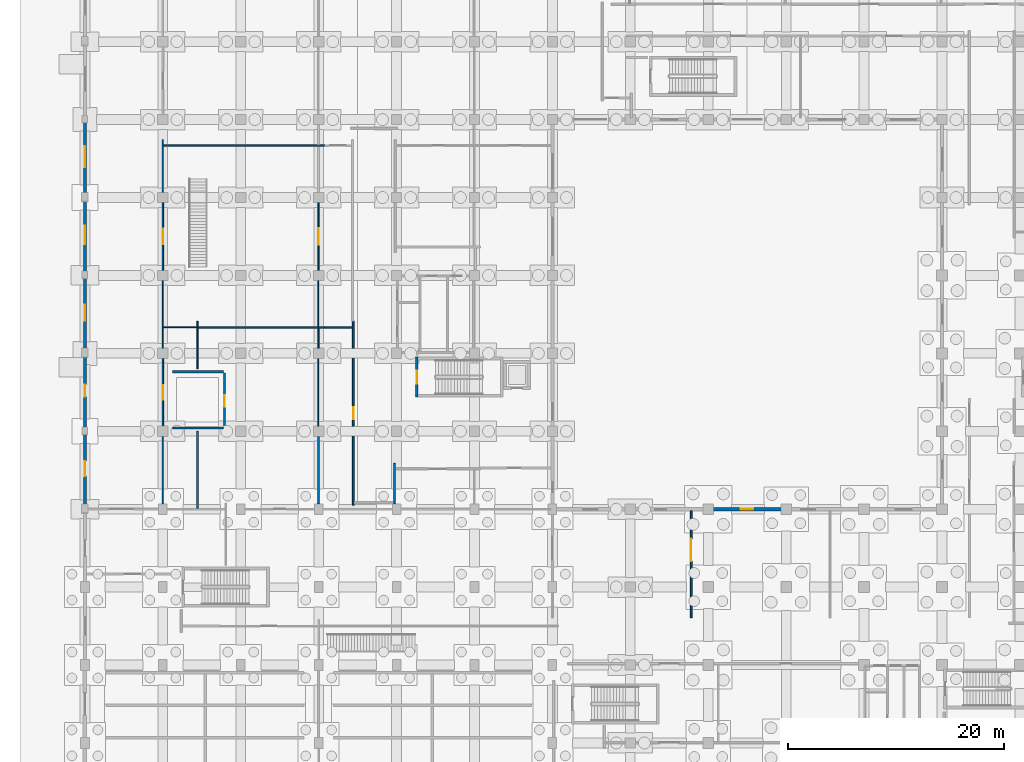
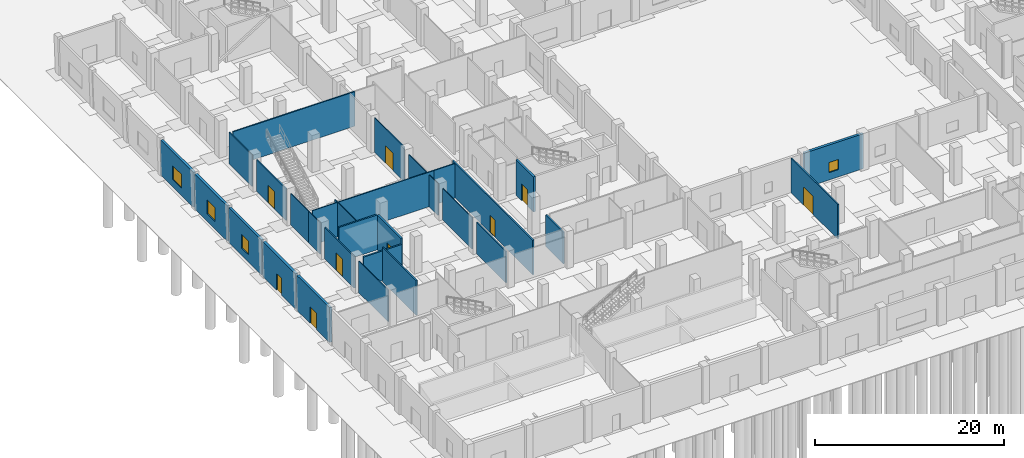
# One storey, part 20 of 48: 30 walls, 9 doors, 4 windows, 13 openings.
"""IFC4 building model written with IfcOpenShell, lengths in metres."""

from ifc_helpers import new_model, si_unit, direction, frame, frame_2d, origin, place, context, subcontext, project, spatial, rectangle, extrude, material, layer, layer_set, type_object, element, fill, save


model = new_model("IFC4")

# Units and contexts
model_context = context("Model", 3, precision=1e-05, world=origin(), true_north=direction((0.0, 1.0)))
body_context = subcontext(model_context, "Body", "Model", "MODEL_VIEW")
ifc_project = project(units=[si_unit("LENGTHUNIT", "METRE"), si_unit("AREAUNIT", "SQUARE_METRE"), si_unit("VOLUMEUNIT", "CUBIC_METRE"), si_unit("PLANEANGLEUNIT", "RADIAN"), si_unit("MASSUNIT", "GRAM", prefix="KILO")], contexts=[model_context])

# Site, building, storey
site_placement = place(None, origin())
site = spatial("IfcSite", under=ifc_project, at=site_placement, CompositionType="ELEMENT")
building_placement = place(site_placement, origin())
building = spatial("IfcBuilding", under=site, at=building_placement, Name="Seraya Terrace Polytechnic", CompositionType="ELEMENT")
storey_placement = place(building_placement, origin())
storey = spatial("IfcBuildingStorey", under=building, at=storey_placement, Name="L00", CompositionType="ELEMENT", Elevation=0.0)

# Wall, opening, door
ifc_material_1 = material(Name="Concrete C40/50", Category="concrete")
ifc_layer_1 = layer(ifc_material_1, 0.300048828125, Name="EW-01")
ifc_layer_set_1 = layer_set([ifc_layer_1], Name="Concrete C40/50")
wall_type_1 = type_object("IfcWallType", Name="EW-01", PredefinedType="SOLIDWALL", material=ifc_layer_set_1)
wall_1_placement = place(storey_placement, frame((0.0, 29.10009765625, 0.0), z_axis=(0.0, 0.0, 1.0), x_axis=(0.0, 1.0, 0.0)))
wall_1 = element("IfcWall", 1, at=wall_1_placement, inside=storey, type_object=wall_type_1, Name="Exterior structural wall EW-01 L00", PredefinedType="SOLIDWALL", context=body_context, shape_type="SweptSolid", body=[
    extrude(rectangle(XDim=6.89990234375, YDim=0.300048828125, at=frame_2d((3.449951171875, 0.0))), origin(), (0.0, 0.0, 1.0), 4.52001953125),
])
opening_1_placement = place(wall_1_placement, frame((2.75, 0.0, 0.0)))
opening_1 = element("IfcOpeningElement", 2, at=opening_1_placement, cuts=wall_1, Name="Opening ED-05", PredefinedType="OPENING", context=body_context, shape_type="SweptSolid", body=[
    extrude(rectangle(XDim=1.39990234375, YDim=2.14990234375, at=frame_2d((0.699951171875, 1.074951171875))), frame((0.0, 0.162109375, 0.0), z_axis=(0.0, -1.0, 0.0), x_axis=(1.0, 0.0, 0.0)), (0.0, 0.0, 1.0), 0.323974609375),
])
ifc_material_2 = material(Name="Anodised aluminium EN AW-6063 T6", Category="aluminium")
door_type_1 = type_object("IfcDoorType", Name="ED-05", OperationType="DOUBLE_DOOR_SINGLE_SWING", PredefinedType="DOOR", material=ifc_material_2)
door_1_placement = place(opening_1_placement, origin())
door_1 = element("IfcDoor", 3, at=door_1_placement, inside=storey, type_object=door_type_1, Name="Door ED-05 DR-EXIT-L00-037 in WL-EXT-L00-09-05", OperationType="DOUBLE_DOOR_SINGLE_SWING", OverallHeight=2.14990234375, OverallWidth=1.39990234375, PredefinedType="DOOR", context=body_context, shape_type="SweptSolid", body=[
    extrude(rectangle(XDim=1.39990234375, YDim=2.14990234375, at=frame_2d((0.699951171875, 1.074951171875))), frame((0.0, 0.02490234375, 0.0), z_axis=(0.0, -1.0, 0.0), x_axis=(1.0, 0.0, 0.0)), (0.0, 0.0, 1.0), 0.050048828125),
])
fill(opening_1, door_1)

wall_2_placement = place(storey_placement, frame((0.0, 36.300048828125, 0.0), z_axis=(0.0, 0.0, 1.0), x_axis=(0.0, 1.0, 0.0)))
wall_2 = element("IfcWall", 4, at=wall_2_placement, inside=storey, type_object=wall_type_1, Name="Exterior structural wall EW-01 L00", PredefinedType="SOLIDWALL", context=body_context, shape_type="SweptSolid", body=[
    extrude(rectangle(XDim=6.89990234375, YDim=0.300048828125, at=frame_2d((3.449951171875, 0.0))), origin(), (0.0, 0.0, 1.0), 4.52001953125),
])
opening_2_placement = place(wall_2_placement, frame((2.889892578125, 0.0, 0.0)))
opening_2 = element("IfcOpeningElement", 5, at=opening_2_placement, cuts=wall_2, Name="Opening ED-06", PredefinedType="OPENING", context=body_context, shape_type="SweptSolid", body=[
    extrude(rectangle(XDim=1.1201171875, YDim=2.14990234375, at=frame_2d((0.56005859375, 1.074951171875))), frame((0.0, 0.162109375, 0.0), z_axis=(0.0, -1.0, 0.0), x_axis=(1.0, 0.0, 0.0)), (0.0, 0.0, 1.0), 0.323974609375),
])
door_type_2 = type_object("IfcDoorType", Name="ED-06", OperationType="NOTDEFINED", PredefinedType="DOOR", material=ifc_material_2)
door_2_placement = place(opening_2_placement, origin())
door_2 = element("IfcDoor", 6, at=door_2_placement, inside=storey, type_object=door_type_2, Name="Door ED-06 DR-EXIT-L00-038 in WL-EXT-L00-09-07", OperationType="SINGLE_SWING_LEFT", OverallHeight=2.14990234375, OverallWidth=1.1201171875, PredefinedType="DOOR", context=body_context, shape_type="SweptSolid", body=[
    extrude(rectangle(XDim=1.1201171875, YDim=2.14990234375, at=frame_2d((0.56005859375, 1.074951171875))), frame((0.0, 0.02490234375, 0.0), z_axis=(0.0, -1.0, 0.0), x_axis=(1.0, 0.0, 0.0)), (0.0, 0.0, 1.0), 0.050048828125),
])
fill(opening_2, door_2)

# Wall, opening, window
wall_3_placement = place(storey_placement, frame((0.0, 43.5, 0.0), z_axis=(0.0, 0.0, 1.0), x_axis=(0.0, 1.0, 0.0)))
wall_3 = element("IfcWall", 7, at=wall_3_placement, inside=storey, type_object=wall_type_1, Name="Exterior structural wall EW-01 L00", PredefinedType="SOLIDWALL", context=body_context, shape_type="SweptSolid", body=[
    extrude(rectangle(XDim=6.89990234375, YDim=0.300048828125, at=frame_2d((3.449951171875, 0.0))), origin(), (0.0, 0.0, 1.0), 4.52001953125),
])
opening_3_placement = place(wall_3_placement, frame((2.72509765625, 0.0, 0.949951171875)))
opening_3 = element("IfcOpeningElement", 8, at=opening_3_placement, cuts=wall_3, Name="Opening WN-28", PredefinedType="OPENING", context=body_context, shape_type="SweptSolid", body=[
    extrude(rectangle(XDim=1.449951171875, YDim=1.800048828125, at=frame_2d((0.72509765625, 0.89990234375))), frame((0.0, 0.162109375, 0.0), z_axis=(0.0, -1.0, 0.0), x_axis=(1.0, 0.0, 0.0)), (0.0, 0.0, 1.0), 0.323974609375),
])
ifc_material_3 = material(Name="Laminated solar-control Low-E double glazing", Category="glass")
window_type_1 = type_object("IfcWindowType", Name="WN-28", PartitioningType="SINGLE_PANEL", PredefinedType="WINDOW", material=ifc_material_3)
window_1_placement = place(opening_3_placement, origin())
window_1 = element("IfcWindow", 9, at=window_1_placement, inside=storey, type_object=window_type_1, Name="Exterior window WN-28 L00", OverallHeight=1.800048828125, OverallWidth=1.449951171875, PartitioningType="SINGLE_PANEL", PredefinedType="WINDOW", context=body_context, shape_type="SweptSolid", body=[
    extrude(rectangle(XDim=1.449951171875, YDim=1.800048828125, at=frame_2d((0.72509765625, 0.89990234375))), frame((0.0, 0.030029296875, 0.0), z_axis=(0.0, -1.0, 0.0), x_axis=(1.0, 0.0, 0.0)), (0.0, 0.0, 1.0), 0.06005859375),
])
fill(opening_3, window_1)

wall_4_placement = place(storey_placement, frame((0.0, 50.699951171875, 0.0), z_axis=(0.0, 0.0, 1.0), x_axis=(0.0, 1.0, 0.0)))
wall_4 = element("IfcWall", 10, at=wall_4_placement, inside=storey, type_object=wall_type_1, Name="Exterior structural wall EW-01 L00", PredefinedType="SOLIDWALL", context=body_context, shape_type="SweptSolid", body=[
    extrude(rectangle(XDim=6.900146484375, YDim=0.300048828125, at=frame_2d((3.4501953125, 0.0))), origin(), (0.0, 0.0, 1.0), 4.52001953125),
])
opening_4_placement = place(wall_4_placement, frame((2.60009765625, 0.0, 0.949951171875)))
opening_4 = element("IfcOpeningElement", 11, at=opening_4_placement, cuts=wall_4, Name="Opening WN-29", PredefinedType="OPENING", context=body_context, shape_type="SweptSolid", body=[
    extrude(rectangle(XDim=1.699951171875, YDim=1.800048828125, at=frame_2d((0.85009765625, 0.89990234375))), frame((0.0, 0.162109375, 0.0), z_axis=(0.0, -1.0, 0.0), x_axis=(1.0, 0.0, 0.0)), (0.0, 0.0, 1.0), 0.323974609375),
])
window_type_2 = type_object("IfcWindowType", Name="WN-29", PartitioningType="SINGLE_PANEL", PredefinedType="WINDOW", material=ifc_material_3)
window_2_placement = place(opening_4_placement, origin())
window_2 = element("IfcWindow", 12, at=window_2_placement, inside=storey, type_object=window_type_2, Name="Exterior window WN-29 L00", OverallHeight=1.800048828125, OverallWidth=1.699951171875, PartitioningType="SINGLE_PANEL", PredefinedType="WINDOW", context=body_context, shape_type="SweptSolid", body=[
    extrude(rectangle(XDim=1.699951171875, YDim=1.800048828125, at=frame_2d((0.85009765625, 0.89990234375))), frame((0.0, 0.030029296875, 0.0), z_axis=(0.0, -1.0, 0.0), x_axis=(1.0, 0.0, 0.0)), (0.0, 0.0, 1.0), 0.06005859375),
])
fill(opening_4, window_2)

wall_5_placement = place(storey_placement, frame((0.0, 57.89990234375, 0.0), z_axis=(0.0, 0.0, 1.0), x_axis=(0.0, 1.0, 0.0)))
wall_5 = element("IfcWall", 13, at=wall_5_placement, inside=storey, type_object=wall_type_1, Name="Exterior structural wall EW-01 L00", PredefinedType="SOLIDWALL", context=body_context, shape_type="SweptSolid", body=[
    extrude(rectangle(XDim=6.900146484375, YDim=0.300048828125, at=frame_2d((3.4501953125, 0.0))), origin(), (0.0, 0.0, 1.0), 4.52001953125),
])
opening_5_placement = place(wall_5_placement, frame((2.47509765625, 0.0, 0.949951171875)))
opening_5 = element("IfcOpeningElement", 14, at=opening_5_placement, cuts=wall_5, Name="Opening WN-30", PredefinedType="OPENING", context=body_context, shape_type="SweptSolid", body=[
    extrude(rectangle(XDim=1.949951171875, YDim=1.800048828125, at=frame_2d((0.97509765625, 0.89990234375))), frame((0.0, 0.162109375, 0.0), z_axis=(0.0, -1.0, 0.0), x_axis=(1.0, 0.0, 0.0)), (0.0, 0.0, 1.0), 0.323974609375),
])
window_type_3 = type_object("IfcWindowType", Name="WN-30", PartitioningType="SINGLE_PANEL", PredefinedType="WINDOW", material=ifc_material_3)
window_3_placement = place(opening_5_placement, origin())
window_3 = element("IfcWindow", 15, at=window_3_placement, inside=storey, type_object=window_type_3, Name="Exterior window WN-30 L00", OverallHeight=1.800048828125, OverallWidth=1.949951171875, PartitioningType="SINGLE_PANEL", PredefinedType="WINDOW", context=body_context, shape_type="SweptSolid", body=[
    extrude(rectangle(XDim=1.949951171875, YDim=1.800048828125, at=frame_2d((0.97509765625, 0.89990234375))), frame((0.0, 0.030029296875, 0.0), z_axis=(0.0, -1.0, 0.0), x_axis=(1.0, 0.0, 0.0)), (0.0, 0.0, 1.0), 0.06005859375),
])
fill(opening_5, window_3)

wall_6_placement = place(storey_placement, frame((57.60009765625, 28.800048828125, 0.0), z_axis=(0.0, 0.0, 1.0), x_axis=(1.0, 0.0, 0.0)))
wall_6 = element("IfcWall", 16, at=wall_6_placement, inside=storey, type_object=wall_type_1, Name="Exterior structural wall EW-01 L00", PredefinedType="SOLIDWALL", context=body_context, shape_type="SweptSolid", body=[
    extrude(rectangle(XDim=7.199951171875, YDim=0.300048828125, at=frame_2d((3.60009765625, 0.0))), origin(), (0.0, 0.0, 1.0), 4.52001953125),
])
opening_6_placement = place(wall_6_placement, frame((3.02490234375, 0.0, 0.949951171875)))
opening_6 = element("IfcOpeningElement", 17, at=opening_6_placement, cuts=wall_6, Name="Opening WN-02", PredefinedType="OPENING", context=body_context, shape_type="SweptSolid", body=[
    extrude(rectangle(XDim=1.14990234375, YDim=1.300048828125, at=frame_2d((0.574951171875, 0.64990234375))), frame((0.0, 0.162109375, 0.0), z_axis=(0.0, -1.0, 0.0), x_axis=(1.0, 0.0, 0.0)), (0.0, 0.0, 1.0), 0.323974609375),
])
window_type_4 = type_object("IfcWindowType", Name="WN-02", PartitioningType="SINGLE_PANEL", PredefinedType="WINDOW", material=ifc_material_3)
window_4_placement = place(opening_6_placement, origin())
window_4 = element("IfcWindow", 18, at=window_4_placement, inside=storey, type_object=window_type_4, Name="Exterior window WN-02 L00", OverallHeight=1.300048828125, OverallWidth=1.14990234375, PartitioningType="SINGLE_PANEL", PredefinedType="WINDOW", context=body_context, shape_type="SweptSolid", body=[
    extrude(rectangle(XDim=1.14990234375, YDim=1.300048828125, at=frame_2d((0.574951171875, 0.64990234375))), frame((0.0, 0.030029296875, 0.0), z_axis=(0.0, -1.0, 0.0), x_axis=(1.0, 0.0, 0.0)), (0.0, 0.0, 1.0), 0.06005859375),
])
fill(opening_6, window_4)

# Wall, opening, door
ifc_material_4 = material(Name="Autoclaved aerated concrete blockwork", Category="masonry")
ifc_layer_2 = layer(ifc_material_4, 0.199951171875, Name="PT-01")
ifc_layer_set_2 = layer_set([ifc_layer_2], Name="Autoclaved aerated concrete blockwork")
wall_type_2 = type_object("IfcWallType", Name="PT-01", PredefinedType="PARTITIONING", material=ifc_layer_set_2)
wall_7_placement = place(storey_placement, frame((12.89990234375, 36.39990234375, 0.0), z_axis=(0.0, 0.0, 1.0), x_axis=(0.0, 1.0, 0.0)))
wall_7 = element("IfcWall", 19, at=wall_7_placement, inside=storey, type_object=wall_type_2, Name="Fire Command Centre East wall", PredefinedType="PARTITIONING", context=body_context, shape_type="SweptSolid", body=[
    extrude(rectangle(XDim=5.0, YDim=0.199951171875, at=frame_2d((2.5, 0.0))), origin(), (0.0, 0.0, 1.0), 4.5),
])
opening_7_placement = place(wall_7_placement, frame((1.85009765625, 0.0, 0.0)))
opening_7 = element("IfcOpeningElement", 20, at=opening_7_placement, cuts=wall_7, Name="Opening FD-04", PredefinedType="OPENING", context=body_context, shape_type="SweptSolid", body=[
    extrude(rectangle(XDim=1.06005859375, YDim=2.159912109375, at=frame_2d((0.530029296875, 1.080078125))), frame((0.0, 0.11181640625, 0.0), z_axis=(0.0, -1.0, 0.0), x_axis=(1.0, 0.0, 0.0)), (0.0, 0.0, 1.0), 0.223876953125),
])
ifc_material_5 = material(Name="Steel S355J2", Category="steel")
door_type_3 = type_object("IfcDoorType", Name="FD-04", OperationType="NOTDEFINED", PredefinedType="DOOR", material=ifc_material_5)
door_3_placement = place(opening_7_placement, frame((1.06005859375, 0.0, 0.0), z_axis=(0.0, 0.0, 1.0), x_axis=(-1.0, 0.0, 0.0)))
door_3 = element("IfcDoor", 21, at=door_3_placement, inside=storey, type_object=door_type_3, Name="Door FD-04 DR-FCC-L00 in WL-FCC-L00-E", OperationType="SINGLE_SWING_RIGHT", OverallHeight=2.159912109375, OverallWidth=1.06005859375, PredefinedType="DOOR", context=body_context, shape_type="SweptSolid", body=[
    extrude(rectangle(XDim=1.06005859375, YDim=2.159912109375, at=frame_2d((0.530029296875, 1.080078125))), frame((0.0, 0.02490234375, 0.0), z_axis=(0.0, -1.0, 0.0), x_axis=(1.0, 0.0, 0.0)), (0.0, 0.0, 1.0), 0.050048828125),
])
fill(opening_7, door_3)

# Walls
wall_8_placement = place(storey_placement, frame((8.10009765625, 36.300048828125, 0.0), z_axis=(0.0, 0.0, 1.0), x_axis=(1.0, 0.0, 0.0)))
element("IfcWall", 22, at=wall_8_placement, inside=storey, type_object=wall_type_2, Name="Fire Command Centre South wall", PredefinedType="PARTITIONING", context=body_context, shape_type="SweptSolid", body=[
    extrude(rectangle(XDim=4.699951171875, YDim=0.199951171875, at=frame_2d((2.35009765625, 0.0))), origin(), (0.0, 0.0, 1.0), 3.830078125),
])
wall_9_placement = place(storey_placement, frame((8.10009765625, 41.5, 0.0), z_axis=(0.0, 0.0, 1.0), x_axis=(1.0, 0.0, 0.0)))
element("IfcWall", 23, at=wall_9_placement, inside=storey, type_object=wall_type_2, Name="Fire Command Centre North wall", PredefinedType="PARTITIONING", context=body_context, shape_type="SweptSolid", body=[
    extrude(rectangle(XDim=4.699951171875, YDim=0.199951171875, at=frame_2d((2.35009765625, 0.0))), origin(), (0.0, 0.0, 1.0), 4.5),
])

# Wall, opening, door
ifc_layer_3 = layer(ifc_material_4, 0.169921875, Name="PT-02")
ifc_layer_set_3 = layer_set([ifc_layer_3], Name="Autoclaved aerated concrete blockwork")
wall_type_3 = type_object("IfcWallType", Name="PT-02", PredefinedType="PARTITIONING", material=ifc_layer_set_3)
wall_10_placement = place(storey_placement, frame((24.800048828125, 29.159912109375, 0.0), z_axis=(0.0, 0.0, 1.0), x_axis=(0.0, 1.0, 0.0)))
wall_10 = element("IfcWall", 24, at=wall_10_placement, inside=storey, type_object=wall_type_3, Name="Internal partition PT-02 L00", PredefinedType="PARTITIONING", context=body_context, shape_type="SweptSolid", body=[
    extrude(rectangle(XDim=17.011474609375, YDim=0.169921875, at=frame_2d((8.505859375, 0.0))), origin(), (0.0, 0.0, 1.0), 4.4599609375),
])
opening_8_placement = place(wall_10_placement, frame((7.935791015625, 0.0, 0.0)))
opening_8 = element("IfcOpeningElement", 25, at=opening_8_placement, cuts=wall_10, Name="Opening ID-06", PredefinedType="OPENING", context=body_context, shape_type="SweptSolid", body=[
    extrude(rectangle(XDim=1.139892578125, YDim=2.199951171875, at=frame_2d((0.56982421875, 1.10009765625))), frame((0.0, 0.096923828125, 0.0), z_axis=(0.0, -1.0, 0.0), x_axis=(1.0, 0.0, 0.0)), (0.0, 0.0, 1.0), 0.19384765625),
])
ifc_material_6 = material(Name="Malaysian dark red meranti hardwood timber D40", Category="wood")
door_type_4 = type_object("IfcDoorType", Name="ID-06", OperationType="NOTDEFINED", PredefinedType="DOOR", material=ifc_material_6)
door_4_placement = place(opening_8_placement, frame((1.139892578125, 0.0, 0.0), z_axis=(0.0, 0.0, 1.0), x_axis=(-1.0, 0.0, 0.0)))
door_4 = element("IfcDoor", 26, at=door_4_placement, inside=storey, type_object=door_type_4, Name="Door ID-06 DR-INT-L00-0003 in WL-INT-L00-0082", OperationType="SINGLE_SWING_RIGHT", OverallHeight=2.199951171875, OverallWidth=1.139892578125, PredefinedType="DOOR", context=body_context, shape_type="SweptSolid", body=[
    extrude(rectangle(XDim=1.139892578125, YDim=2.199951171875, at=frame_2d((0.56982421875, 1.10009765625))), frame((0.0, 0.02490234375, 0.0), z_axis=(0.0, -1.0, 0.0), x_axis=(1.0, 0.0, 0.0)), (0.0, 0.0, 1.0), 0.050048828125),
])
fill(opening_8, door_4)

# Wall
wall_11_placement = place(storey_placement, frame((28.60009765625, 29.31005859375, 0.0), z_axis=(0.0, 0.0, 1.0), x_axis=(0.0, 1.0, 0.0)))
element("IfcWall", 27, at=wall_11_placement, inside=storey, type_object=wall_type_3, Name="Internal partition PT-02 L00", PredefinedType="PARTITIONING", context=body_context, shape_type="SweptSolid", body=[
    extrude(rectangle(XDim=3.721435546875, YDim=0.169921875, at=frame_2d((1.86083984375, 0.0))), origin(), (0.0, 0.0, 1.0), 4.080078125),
])

# Wall, opening, door
ifc_layer_4 = layer(ifc_material_4, 0.14990234375, Name="PT-03")
ifc_layer_set_4 = layer_set([ifc_layer_4], Name="Autoclaved aerated concrete blockwork")
wall_type_4 = type_object("IfcWallType", Name="PT-03", PredefinedType="PARTITIONING", material=ifc_layer_set_4)
wall_12_placement = place(storey_placement, frame((56.024658203125, 18.780029296875, 0.0), z_axis=(0.0, 0.0, 1.0), x_axis=(0.0, 1.0, 0.0)))
wall_12 = element("IfcWall", 28, at=wall_12_placement, inside=storey, type_object=wall_type_4, Name="Internal partition PT-03 L00", PredefinedType="PARTITIONING", context=body_context, shape_type="SweptSolid", body=[
    extrude(rectangle(XDim=9.85791015625, YDim=0.14990234375, at=frame_2d((4.928955078125, 0.0))), origin(), (0.0, 0.0, 1.0), 4.4599609375),
])
opening_9_placement = place(wall_12_placement, frame((5.22509765625, 0.0, 0.0)))
opening_9 = element("IfcOpeningElement", 29, at=opening_9_placement, cuts=wall_12, Name="Opening ID-17", PredefinedType="OPENING", context=body_context, shape_type="SweptSolid", body=[
    extrude(rectangle(XDim=2.0400390625, YDim=2.340087890625, at=frame_2d((1.02001953125, 1.169921875))), frame((0.0, 0.0869140625, 0.0), z_axis=(0.0, -1.0, 0.0), x_axis=(1.0, 0.0, 0.0)), (0.0, 0.0, 1.0), 0.173828125),
])
door_type_5 = type_object("IfcDoorType", Name="ID-17", OperationType="DOUBLE_DOOR_SINGLE_SWING", PredefinedType="DOOR", material=ifc_material_6)
door_5_placement = place(opening_9_placement, origin())
door_5 = element("IfcDoor", 30, at=door_5_placement, inside=storey, type_object=door_type_5, Name="Door ID-17 DR-INT-L00-0062 in WL-INT-L00-0142", OperationType="DOUBLE_DOOR_SINGLE_SWING", OverallHeight=2.340087890625, OverallWidth=2.0400390625, PredefinedType="DOOR", context=body_context, shape_type="SweptSolid", body=[
    extrude(rectangle(XDim=2.0400390625, YDim=2.340087890625, at=frame_2d((1.02001953125, 1.169921875))), frame((0.0, 0.02490234375, 0.0), z_axis=(0.0, -1.0, 0.0), x_axis=(1.0, 0.0, 0.0)), (0.0, 0.0, 1.0), 0.050048828125),
])
fill(opening_9, door_5)

wall_13_placement = place(storey_placement, frame((7.199951171875, 36.485107421875, 0.0), z_axis=(0.0, 0.0, 1.0), x_axis=(0.0, 1.0, 0.0)))
wall_13 = element("IfcWall", 31, at=wall_13_placement, inside=storey, type_object=wall_type_4, Name="Internal partition PT-03 L00", PredefinedType="PARTITIONING", context=body_context, shape_type="SweptSolid", body=[
    extrude(rectangle(XDim=6.22998046875, YDim=0.14990234375, at=frame_2d((3.114990234375, 0.0))), origin(), (0.0, 0.0, 1.0), 4.080078125),
])
opening_10_placement = place(wall_13_placement, frame((2.445068359375, 0.0, 0.0)))
opening_10 = element("IfcOpeningElement", 32, at=opening_10_placement, cuts=wall_13, Name="Opening ID-09", PredefinedType="OPENING", context=body_context, shape_type="SweptSolid", body=[
    extrude(rectangle(XDim=1.340087890625, YDim=2.239990234375, at=frame_2d((0.669921875, 1.1201171875))), frame((0.0, 0.0869140625, 0.0), z_axis=(0.0, -1.0, 0.0), x_axis=(1.0, 0.0, 0.0)), (0.0, 0.0, 1.0), 0.173828125),
])
door_type_6 = type_object("IfcDoorType", Name="ID-09", OperationType="NOTDEFINED", PredefinedType="DOOR", material=ifc_material_6)
door_6_placement = place(opening_10_placement, origin())
door_6 = element("IfcDoor", 33, at=door_6_placement, inside=storey, type_object=door_type_6, Name="Door ID-09 DR-INT-L00-0038 in WL-INT-L00-0172", OperationType="SINGLE_SWING_LEFT", OverallHeight=2.239990234375, OverallWidth=1.340087890625, PredefinedType="DOOR", context=body_context, shape_type="SweptSolid", body=[
    extrude(rectangle(XDim=1.340087890625, YDim=2.239990234375, at=frame_2d((0.669921875, 1.1201171875))), frame((0.0, 0.02490234375, 0.0), z_axis=(0.0, -1.0, 0.0), x_axis=(1.0, 0.0, 0.0)), (0.0, 0.0, 1.0), 0.050048828125),
])
fill(opening_10, door_6)

wall_14_placement = place(storey_placement, frame((7.199951171875, 50.885009765625, 0.0), z_axis=(0.0, 0.0, 1.0), x_axis=(0.0, 1.0, 0.0)))
wall_14 = element("IfcWall", 34, at=wall_14_placement, inside=storey, type_object=wall_type_4, Name="Internal partition PT-03 L00", PredefinedType="PARTITIONING", context=body_context, shape_type="SweptSolid", body=[
    extrude(rectangle(XDim=6.22998046875, YDim=0.14990234375, at=frame_2d((3.114990234375, 0.0))), origin(), (0.0, 0.0, 1.0), 4.080078125),
])
opening_11_placement = place(wall_14_placement, frame((2.405029296875, 0.0, 0.0)))
opening_11 = element("IfcOpeningElement", 35, at=opening_11_placement, cuts=wall_14, Name="Opening ID-10", PredefinedType="OPENING", context=body_context, shape_type="SweptSolid", body=[
    extrude(rectangle(XDim=1.419921875, YDim=2.239990234375, at=frame_2d((0.7099609375, 1.1201171875))), frame((0.0, 0.0869140625, 0.0), z_axis=(0.0, -1.0, 0.0), x_axis=(1.0, 0.0, 0.0)), (0.0, 0.0, 1.0), 0.173828125),
])
door_type_7 = type_object("IfcDoorType", Name="ID-10", OperationType="DOUBLE_DOOR_SINGLE_SWING", PredefinedType="DOOR", material=ifc_material_6)
door_7_placement = place(opening_11_placement, frame((1.419921875, 0.0, 0.0), z_axis=(0.0, 0.0, 1.0), x_axis=(-1.0, 0.0, 0.0)))
door_7 = element("IfcDoor", 36, at=door_7_placement, inside=storey, type_object=door_type_7, Name="Door ID-10 DR-INT-L00-0039 in WL-INT-L00-0175", OperationType="DOUBLE_DOOR_SINGLE_SWING", OverallHeight=2.239990234375, OverallWidth=1.419921875, PredefinedType="DOOR", context=body_context, shape_type="SweptSolid", body=[
    extrude(rectangle(XDim=1.419921875, YDim=2.239990234375, at=frame_2d((0.7099609375, 1.1201171875))), frame((0.0, 0.02490234375, 0.0), z_axis=(0.0, -1.0, 0.0), x_axis=(1.0, 0.0, 0.0)), (0.0, 0.0, 1.0), 0.050048828125),
])
fill(opening_11, door_7)

# Walls
wall_15_placement = place(storey_placement, frame((10.39990234375, 28.875, 0.0), z_axis=(0.0, 0.0, 1.0), x_axis=(0.0, 1.0, 0.0)))
element("IfcWall", 37, at=wall_15_placement, inside=storey, type_object=wall_type_4, Name="Internal partition PT-03 L00", PredefinedType="PARTITIONING", context=body_context, shape_type="SweptSolid", body=[
    extrude(rectangle(XDim=7.14501953125, YDim=0.14990234375, at=frame_2d((3.572509765625, 0.0))), origin(), (0.0, 0.0, 1.0), 4.4599609375),
])
wall_16_placement = place(storey_placement, frame((21.580078125, 29.31005859375, 0.0), z_axis=(0.0, 0.0, 1.0), x_axis=(0.0, 1.0, 0.0)))
element("IfcWall", 38, at=wall_16_placement, inside=storey, type_object=wall_type_4, Name="Internal partition PT-03 L00", PredefinedType="PARTITIONING", context=body_context, shape_type="SweptSolid", body=[
    extrude(rectangle(XDim=6.204833984375, YDim=0.14990234375, at=frame_2d((3.1025390625, 0.0))), origin(), (0.0, 0.0, 1.0), 4.080078125),
])
wall_17_placement = place(storey_placement, frame((7.27490234375, 62.39990234375, 0.0), z_axis=(0.0, 0.0, 1.0), x_axis=(1.0, 0.0, 0.0)))
element("IfcWall", 39, at=wall_17_placement, inside=storey, type_object=wall_type_4, Name="Internal partition PT-03 L00", PredefinedType="PARTITIONING", context=body_context, shape_type="SweptSolid", body=[
    extrude(rectangle(XDim=14.864990234375, YDim=0.14990234375, at=frame_2d((7.4326171875, 0.0))), origin(), (0.0, 0.0, 1.0), 4.4599609375),
])
ifc_layer_5 = layer(ifc_material_4, 0.1201171875, Name="PT-05")
ifc_layer_set_5 = layer_set([ifc_layer_5], Name="Autoclaved aerated concrete blockwork")
wall_type_5 = type_object("IfcWallType", Name="PT-05", PredefinedType="PARTITIONING", material=ifc_layer_set_5)
wall_18_placement = place(storey_placement, frame((7.199951171875, 29.31005859375, 0.0), z_axis=(0.0, 0.0, 1.0), x_axis=(0.0, 1.0, 0.0)))
element("IfcWall", 40, at=wall_18_placement, inside=storey, type_object=wall_type_5, Name="Internal partition PT-05 L00", PredefinedType="PARTITIONING", context=body_context, shape_type="SweptSolid", body=[
    extrude(rectangle(XDim=6.204833984375, YDim=0.1201171875, at=frame_2d((3.1025390625, 0.0))), origin(), (0.0, 0.0, 1.0), 4.080078125),
])
wall_19_placement = place(storey_placement, frame((7.199951171875, 58.0849609375, 0.0), z_axis=(0.0, 0.0, 1.0), x_axis=(0.0, 1.0, 0.0)))
element("IfcWall", 41, at=wall_19_placement, inside=storey, type_object=wall_type_5, Name="Internal partition PT-05 L00", PredefinedType="PARTITIONING", context=body_context, shape_type="SweptSolid", body=[
    extrude(rectangle(XDim=4.875, YDim=0.1201171875, at=frame_2d((2.4375, 0.0))), origin(), (0.0, 0.0, 1.0), 4.080078125),
])
wall_20_placement = place(storey_placement, frame((10.465087890625, 45.60009765625, 0.0), z_axis=(0.0, 0.0, 1.0), x_axis=(1.0, 0.0, 0.0)))
element("IfcWall", 42, at=wall_20_placement, inside=storey, type_object=wall_type_5, Name="Internal partition PT-05 L00", PredefinedType="PARTITIONING", context=body_context, shape_type="SweptSolid", body=[
    extrude(rectangle(XDim=11.6748046875, YDim=0.1201171875, at=frame_2d((5.83740234375, 0.0))), origin(), (0.0, 0.0, 1.0), 4.4599609375),
])
wall_21_placement = place(storey_placement, frame((21.580078125, 43.68505859375, 0.0), z_axis=(0.0, 0.0, 1.0), x_axis=(0.0, 1.0, 0.0)))
element("IfcWall", 43, at=wall_21_placement, inside=storey, type_object=wall_type_5, Name="Internal partition PT-05 L00", PredefinedType="PARTITIONING", context=body_context, shape_type="SweptSolid", body=[
    extrude(rectangle(XDim=1.83984375, YDim=0.1201171875, at=frame_2d((0.919921875, 0.0))), origin(), (0.0, 0.0, 1.0), 4.080078125),
])

# Wall, opening, door
wall_22_placement = place(storey_placement, frame((21.580078125, 50.885009765625, 0.0), z_axis=(0.0, 0.0, 1.0), x_axis=(0.0, 1.0, 0.0)))
wall_22 = element("IfcWall", 44, at=wall_22_placement, inside=storey, type_object=wall_type_5, Name="Internal partition PT-05 L00", PredefinedType="PARTITIONING", context=body_context, shape_type="SweptSolid", body=[
    extrude(rectangle(XDim=6.22998046875, YDim=0.1201171875, at=frame_2d((3.114990234375, 0.0))), origin(), (0.0, 0.0, 1.0), 4.4599609375),
])
opening_12_placement = place(wall_22_placement, frame((2.3349609375, 0.0, 0.0)))
opening_12 = element("IfcOpeningElement", 45, at=opening_12_placement, cuts=wall_22, Name="Opening ID-12", PredefinedType="OPENING", context=body_context, shape_type="SweptSolid", body=[
    extrude(rectangle(XDim=1.56005859375, YDim=2.260009765625, at=frame_2d((0.780029296875, 1.1298828125))), frame((0.0, 0.072021484375, 0.0), z_axis=(0.0, -1.0, 0.0), x_axis=(1.0, 0.0, 0.0)), (0.0, 0.0, 1.0), 0.14404296875),
])
door_type_8 = type_object("IfcDoorType", Name="ID-12", OperationType="DOUBLE_DOOR_SINGLE_SWING", PredefinedType="DOOR", material=ifc_material_6)
door_8_placement = place(opening_12_placement, frame((1.56005859375, 0.0, 0.0), z_axis=(0.0, 0.0, 1.0), x_axis=(-1.0, 0.0, 0.0)))
door_8 = element("IfcDoor", 46, at=door_8_placement, inside=storey, type_object=door_type_8, Name="Door ID-12 DR-INT-L00-0041 in WL-INT-L00-0188", OperationType="DOUBLE_DOOR_SINGLE_SWING", OverallHeight=2.260009765625, OverallWidth=1.56005859375, PredefinedType="DOOR", context=body_context, shape_type="SweptSolid", body=[
    extrude(rectangle(XDim=1.56005859375, YDim=2.260009765625, at=frame_2d((0.780029296875, 1.1298828125))), frame((0.0, 0.02490234375, 0.0), z_axis=(0.0, -1.0, 0.0), x_axis=(1.0, 0.0, 0.0)), (0.0, 0.0, 1.0), 0.050048828125),
])
fill(opening_12, door_8)

# Walls
wall_23_placement = place(storey_placement, frame((22.139892578125, 45.60009765625, 0.0), z_axis=(0.0, 0.0, 1.0), x_axis=(1.0, 0.0, 0.0)))
element("IfcWall", 47, at=wall_23_placement, inside=storey, type_object=wall_type_5, Name="Internal partition PT-05 L00", PredefinedType="PARTITIONING", context=body_context, shape_type="SweptSolid", body=[
    extrude(rectangle(XDim=2.56005859375, YDim=0.1201171875, at=frame_2d((1.280029296875, 0.0))), origin(), (0.0, 0.0, 1.0), 4.4599609375),
])
ifc_layer_6 = layer(ifc_material_4, 0.10009765625, Name="PT-06")
ifc_layer_set_6 = layer_set([ifc_layer_6], Name="Autoclaved aerated concrete blockwork")
wall_type_6 = type_object("IfcWallType", Name="PT-06", PredefinedType="PARTITIONING", material=ifc_layer_set_6)
wall_24_placement = place(storey_placement, frame((7.199951171875, 43.68505859375, 0.0), z_axis=(0.0, 0.0, 1.0), x_axis=(0.0, 1.0, 0.0)))
element("IfcWall", 48, at=wall_24_placement, inside=storey, type_object=wall_type_6, Name="Internal partition PT-06 L00", PredefinedType="PARTITIONING", context=body_context, shape_type="SweptSolid", body=[
    extrude(rectangle(XDim=2.474853515625, YDim=0.10009765625, at=frame_2d((1.2373046875, 0.0))), origin(), (0.0, 0.0, 1.0), 4.080078125),
])
wall_25_placement = place(storey_placement, frame((7.199951171875, 46.159912109375, 0.0), z_axis=(0.0, 0.0, 1.0), x_axis=(0.0, 1.0, 0.0)))
element("IfcWall", 49, at=wall_25_placement, inside=storey, type_object=wall_type_6, Name="Internal partition PT-06 L00", PredefinedType="PARTITIONING", context=body_context, shape_type="SweptSolid", body=[
    extrude(rectangle(XDim=3.755126953125, YDim=0.10009765625, at=frame_2d((1.87744140625, 0.0))), origin(), (0.0, 0.0, 1.0), 4.080078125),
])
wall_26_placement = place(storey_placement, frame((10.39990234375, 41.780029296875, 0.0), z_axis=(0.0, 0.0, 1.0), x_axis=(0.0, 1.0, 0.0)))
element("IfcWall", 50, at=wall_26_placement, inside=storey, type_object=wall_type_6, Name="Internal partition PT-06 L00", PredefinedType="PARTITIONING", context=body_context, shape_type="SweptSolid", body=[
    extrude(rectangle(XDim=4.374267578125, YDim=0.10009765625, at=frame_2d((2.18701171875, 0.0))), origin(), (0.0, 0.0, 1.0), 4.4599609375),
])
wall_27_placement = place(storey_placement, frame((21.580078125, 36.485107421875, 0.0), z_axis=(0.0, 0.0, 1.0), x_axis=(0.0, 1.0, 0.0)))
element("IfcWall", 51, at=wall_27_placement, inside=storey, type_object=wall_type_6, Name="Internal partition PT-06 L00", PredefinedType="PARTITIONING", context=body_context, shape_type="SweptSolid", body=[
    extrude(rectangle(XDim=6.22998046875, YDim=0.10009765625, at=frame_2d((3.114990234375, 0.0))), origin(), (0.0, 0.0, 1.0), 4.080078125),
])
wall_28_placement = place(storey_placement, frame((7.264892578125, 45.60009765625, 0.0), z_axis=(0.0, 0.0, 1.0), x_axis=(1.0, 0.0, 0.0)))
element("IfcWall", 52, at=wall_28_placement, inside=storey, type_object=wall_type_6, Name="Internal partition PT-06 L00", PredefinedType="PARTITIONING", context=body_context, shape_type="SweptSolid", body=[
    extrude(rectangle(XDim=3.070068359375, YDim=0.10009765625, at=frame_2d((1.53515625, 0.0))), origin(), (0.0, 0.0, 1.0), 4.4599609375),
])
wall_29_placement = place(storey_placement, frame((21.580078125, 45.675048828125, 0.0), z_axis=(0.0, 0.0, 1.0), x_axis=(0.0, 1.0, 0.0)))
element("IfcWall", 53, at=wall_29_placement, inside=storey, type_object=wall_type_6, Name="Internal partition PT-06 L00", PredefinedType="PARTITIONING", context=body_context, shape_type="SweptSolid", body=[
    extrude(rectangle(XDim=4.239990234375, YDim=0.10009765625, at=frame_2d((2.1201171875, 0.0))), origin(), (0.0, 0.0, 1.0), 4.080078125),
])

# Wall, opening, door
ifc_layer_7 = layer(ifc_material_1, 0.25, Name="SW-02")
ifc_layer_set_7 = layer_set([ifc_layer_7], Name="Concrete C40/50")
wall_type_7 = type_object("IfcWallType", Name="SW-02", PredefinedType="SHEAR", material=ifc_layer_set_7)
wall_30_placement = place(storey_placement, frame((30.675048828125, 39.14990234375, 0.0), z_axis=(0.0, 0.0, 1.0), x_axis=(0.0, 1.0, 0.0)))
wall_30 = element("IfcWall", 54, at=wall_30_placement, inside=storey, type_object=wall_type_7, Name="Stairwell ST-04 West wall L00", PredefinedType="SHEAR", context=body_context, shape_type="SweptSolid", body=[
    extrude(rectangle(XDim=3.7001953125, YDim=0.25, at=frame_2d((1.85009765625, 0.0))), origin(), (0.0, 0.0, 1.0), 4.550048828125),
])
opening_13_placement = place(wall_30_placement, frame((1.25, 0.0, 0.0)))
opening_13 = element("IfcOpeningElement", 55, at=opening_13_placement, cuts=wall_30, Name="Opening FD-01", PredefinedType="OPENING", context=body_context, shape_type="SweptSolid", body=[
    extrude(rectangle(XDim=1.199951171875, YDim=2.14990234375, at=frame_2d((0.60009765625, 1.074951171875))), frame((0.0, 0.136962890625, 0.0), z_axis=(0.0, -1.0, 0.0), x_axis=(1.0, 0.0, 0.0)), (0.0, 0.0, 1.0), 0.27392578125),
])
door_type_9 = type_object("IfcDoorType", Name="FD-01", OperationType="NOTDEFINED", PredefinedType="DOOR", material=ifc_material_5)
door_9_placement = place(opening_13_placement, origin())
door_9 = element("IfcDoor", 56, at=door_9_placement, inside=storey, type_object=door_type_9, Name="Door FD-01 DR-STR-ST-04-L00 in WL-STR-ST-04-L00-W", OperationType="SINGLE_SWING_RIGHT", OverallHeight=2.14990234375, OverallWidth=1.199951171875, PredefinedType="DOOR", context=body_context, shape_type="SweptSolid", body=[
    extrude(rectangle(XDim=1.199951171875, YDim=2.14990234375, at=frame_2d((0.60009765625, 1.074951171875))), frame((0.0, 0.02490234375, 0.0), z_axis=(0.0, -1.0, 0.0), x_axis=(1.0, 0.0, 0.0)), (0.0, 0.0, 1.0), 0.050048828125),
])
fill(opening_13, door_9)

save(model, "model.ifc")
